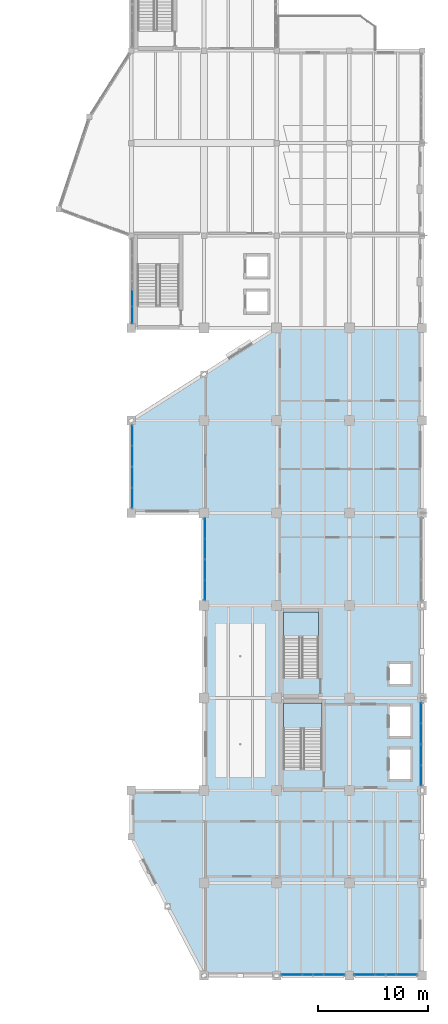
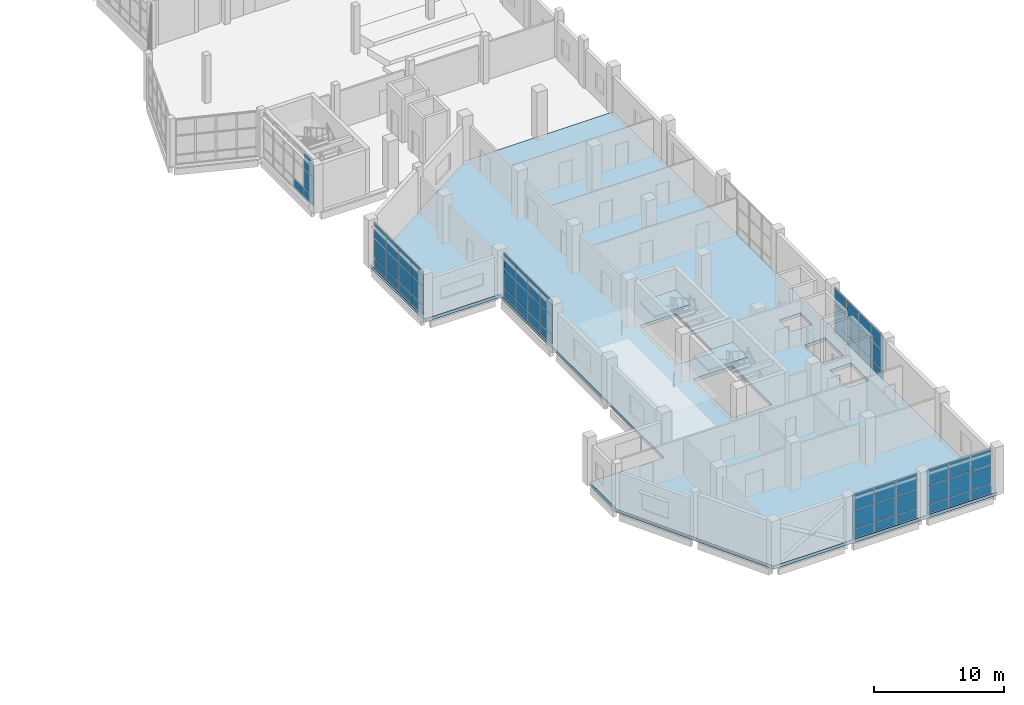
# One storey, part 38 of 76: 58 plates, 3 slabs, 8 elements without a shape of their own.
"""IFC4 building model written with IfcOpenShell, lengths in metres."""

import ifcopenshell
import ifcopenshell.guid

model = None  # the IFC model being written
_history = None  # IfcOwnerHistory: only IFC2X3 demands one
_inside = {}  # id of a spatial element -> (the spatial element, [elements in it])
_under = {}  # id of a project, library or spatial element -> (it, [spatial elements below it])
_declared = {}  # id of a project -> (the project, [libraries it declares])
_typed = {}  # id of a type object -> (the type object, [elements of that type])
_made_of = {}  # id of a material, layer set ... -> (it, [elements and type objects made of it])


def new_model(schema):
    """Start an empty IFC model of exactly this schema.

    Asked for "IFC4X3", IfcOpenShell would pick the latest addendum, in which some entities
    have other attributes; the version numbers below select the first issue.
    IFC2X3 requires an IfcOwnerHistory on every rooted entity: one is made here for all.
    """
    global model, _history
    if schema == "IFC4X3":
        model = ifcopenshell.file(schema_version=(4, 3, 0, 0))
    else:
        model = ifcopenshell.file(schema=schema)
    _inside.clear()
    _under.clear()
    _declared.clear()
    _typed.clear()
    _made_of.clear()
    _history = None
    if model.schema == "IFC2X3":
        org = make("IfcOrganization", Name="unknown")
        user = make(
            "IfcPersonAndOrganization",
            ThePerson=make("IfcPerson", FamilyName="unknown"),
            TheOrganization=org,
        )
        app = make(
            "IfcApplication",
            ApplicationDeveloper=org,
            Version="unknown",
            ApplicationFullName="unknown",
            ApplicationIdentifier="unknown",
        )
        _history = make(
            "IfcOwnerHistory",
            OwningUser=user,
            OwningApplication=app,
            ChangeAction="ADDED",
            CreationDate=0,
        )
    return model


def make(cls, **values):
    """One entity of the class cls with the attributes given. An attribute that is None is left unset."""
    return model.create_entity(
        cls, **{name: value for name, value in values.items() if value is not None}
    )


def rooted(cls, **values):
    """An entity with a GlobalId (a new one), such as an element, a storey or a relation."""
    return make(cls, GlobalId=ifcopenshell.guid.new(), OwnerHistory=_history, **values)


def si_unit(unit_type, name, prefix=None):
    """IfcSIUnit, for example si_unit("LENGTHUNIT", "METRE", prefix="MILLI")."""
    return make("IfcSIUnit", UnitType=unit_type, Prefix=prefix, Name=name)


def assignment(units):
    """IfcUnitAssignment: the units of a project."""
    return None if units is None else make("IfcUnitAssignment", Units=units)


def point(xyz):
    """IfcCartesianPoint."""
    return None if xyz is None else make("IfcCartesianPoint", Coordinates=xyz)


def direction(xyz):
    """IfcDirection."""
    return None if xyz is None else make("IfcDirection", DirectionRatios=xyz)


def frame(location, z_axis=None, x_axis=None):
    """IfcAxis2Placement3D, a coordinate frame: its origin and axes. An axis left out is left unset."""
    return make(
        "IfcAxis2Placement3D",
        Location=point(location),
        Axis=direction(z_axis),
        RefDirection=direction(x_axis),
    )


def frame_2d(location, x_axis=None):
    """IfcAxis2Placement2D, a coordinate frame in the plane: its origin and x axis."""
    return make(
        "IfcAxis2Placement2D", Location=point(location), RefDirection=direction(x_axis)
    )


def origin():
    """The frame at (0, 0, 0) with its axes left unset."""
    return frame((0.0, 0.0, 0.0))


def origin_2d():
    """The frame at (0, 0) in the plane with its x axis left unset."""
    return frame_2d((0.0, 0.0))


def place(relative_to, where):
    """IfcLocalPlacement: puts the frame where relative to a parent placement (None: the world)."""
    return make(
        "IfcLocalPlacement", PlacementRelTo=relative_to, RelativePlacement=where
    )


def context(
    kind, dimensions, precision=None, world=None, true_north=None, identifier=None
):
    """IfcGeometricRepresentationContext, for example the 3D "Model" context."""
    return make(
        "IfcGeometricRepresentationContext",
        ContextIdentifier=identifier,
        ContextType=kind,
        CoordinateSpaceDimension=dimensions,
        Precision=precision,
        WorldCoordinateSystem=world,
        TrueNorth=true_north,
    )


def subcontext(parent, identifier, kind, view, scale=None):
    """IfcGeometricRepresentationSubContext, for example "Body" below "Model"."""
    return make(
        "IfcGeometricRepresentationSubContext",
        ContextIdentifier=identifier,
        ContextType=kind,
        ParentContext=parent,
        TargetScale=scale,
        TargetView=view,
    )


def project(units=None, contexts=None):
    """IfcProject with its units and contexts."""
    return rooted(
        "IfcProject",
        Name="project",
        RepresentationContexts=contexts,
        UnitsInContext=assignment(units),
    )


def spatial(cls, under=None, at=None, **own):
    """A site, building, storey or space (cls), placed at a placement, below another one or the project."""
    s = rooted(cls, ObjectPlacement=at, **own)
    if under is not None:
        _under.setdefault(under.id(), (under, []))[1].append(s)
    return s


def polyline(points):
    """IfcPolyline through the points."""
    return make("IfcPolyline", Points=[point(p) for p in points])


def profile(cls, at=None, kind="AREA", **sizes):
    """A parametric profile (cls). Its sizes go by their IFC names, for example OverallWidth=200.0."""
    return make(cls, ProfileType=kind, Position=at, **sizes)


def rectangle(**sizes):
    """IfcRectangleProfileDef."""
    return profile("IfcRectangleProfileDef", **sizes)


def outline(outer, holes=None, kind="AREA"):
    """IfcArbitraryClosedProfileDef: a profile drawn as a closed curve; with holes, ...WithVoids."""
    if holes is None:
        return make("IfcArbitraryClosedProfileDef", ProfileType=kind, OuterCurve=outer)
    return make(
        "IfcArbitraryProfileDefWithVoids",
        ProfileType=kind,
        OuterCurve=outer,
        InnerCurves=holes,
    )


def extrude(swept, where, along, depth):
    """IfcExtrudedAreaSolid: the profile swept, set in the frame where, extruded along a direction by depth."""
    return make(
        "IfcExtrudedAreaSolid",
        SweptArea=swept,
        Position=where,
        ExtrudedDirection=direction(along),
        Depth=depth,
    )


def shape(context_of_items, identifier, shape_type, items):
    """IfcShapeRepresentation: the items that make up one representation, for example the "Body"."""
    return make(
        "IfcShapeRepresentation",
        ContextOfItems=context_of_items,
        RepresentationIdentifier=identifier,
        RepresentationType=shape_type,
        Items=items,
    )


def material(Name=None, Category=None):
    """IfcMaterial."""
    return make("IfcMaterial", Name=Name, Category=Category)


def layer(
    of_material, thickness, ventilated=None, Name=None, Category=None, Priority=None
):
    """IfcMaterialLayer: one layer of a wall or slab, of a material (None: an air gap)."""
    return make(
        "IfcMaterialLayer",
        Material=of_material,
        LayerThickness=thickness,
        IsVentilated=ventilated,
        Name=Name,
        Category=Category,
        Priority=Priority,
    )


def layer_set(layers, Name=None):
    """IfcMaterialLayerSet."""
    return make("IfcMaterialLayerSet", MaterialLayers=layers, LayerSetName=Name)


def made_of(thing, what):
    """Note that an element or type object is made of a material, layer set ...; save() writes the relation."""
    if what is not None:
        _made_of.setdefault(what.id(), (what, []))[1].append(thing)
    return thing


def type_object(cls, material=None, **own):
    """A type object (cls), such as IfcWallType, which elements share."""
    return made_of(rooted(cls, **own), material)


def element(
    cls,
    number,
    at=None,
    inside=None,
    cuts=None,
    type_object=None,
    material=None,
    context=None,
    identifier="Body",
    shape_type=None,
    held_by="IfcProductDefinitionShape",
    body=None,
    shapes=None,
    **own,
):
    """One element of the class cls, such as IfcWall. Its Tag is "e" and its number.

    at: its placement. inside: the storey or other place that contains it. cuts: it is an
    opening in that element (IfcRelVoidsElement). A single representation is given by context,
    identifier, shape_type and body (its items); several are given by shapes. held_by: the class
    of the entity that holds the representations. save() writes the other relations.
    """
    e = rooted(cls, Tag="e%d" % number, ObjectPlacement=at, **own)
    if body is not None:
        shapes = [shape(context, identifier, shape_type, body)]
    if shapes is not None:
        e.Representation = make(held_by, Representations=shapes)
    if inside is not None:
        _inside.setdefault(inside.id(), (inside, []))[1].append(e)
    if cuts is not None:
        rooted(
            "IfcRelVoidsElement", RelatingBuildingElement=cuts, RelatedOpeningElement=e
        )
    if type_object is not None:
        _typed.setdefault(type_object.id(), (type_object, []))[1].append(e)
    return made_of(e, material)


def aggregate(whole, parts):
    """IfcRelAggregates: a whole, such as a stair, and the parts it consists of."""
    return rooted("IfcRelAggregates", RelatingObject=whole, RelatedObjects=parts)


def save(model, path):
    """Write the relations noted so far, then the file.

    IfcRelAggregates (storeys below a building ...), IfcRelContainedInSpatialStructure (elements
    in a storey), IfcRelDefinesByType, IfcRelAssociatesMaterial and IfcRelDeclares: one each for
    every whole, place, type object, material and project.
    """
    for whole, parts in _under.values():
        aggregate(whole, parts)
    for where, things in _inside.values():
        rooted(
            "IfcRelContainedInSpatialStructure",
            RelatedElements=things,
            RelatingStructure=where,
        )
    for kind, things in _typed.values():
        rooted("IfcRelDefinesByType", RelatedObjects=things, RelatingType=kind)
    for what, things in _made_of.values():
        rooted("IfcRelAssociatesMaterial", RelatedObjects=things, RelatingMaterial=what)
    for by, libraries in _declared.values():
        rooted("IfcRelDeclares", RelatingContext=by, RelatedDefinitions=libraries)
    model.write(path)


model = new_model("IFC4")

# Units and contexts
model_context = context("Model", 3, precision=1e-05, world=origin(), true_north=direction((0.0, 1.0)))
body_context = subcontext(model_context, "Body", "Model", "MODEL_VIEW")
ifc_project = project(units=[si_unit("LENGTHUNIT", "METRE"), si_unit("AREAUNIT", "SQUARE_METRE"), si_unit("VOLUMEUNIT", "CUBIC_METRE"), si_unit("PLANEANGLEUNIT", "RADIAN"), si_unit("MASSUNIT", "GRAM", prefix="KILO")], contexts=[model_context])

# Site, building, storey
site_placement = place(None, origin())
site = spatial("IfcSite", under=ifc_project, at=site_placement, CompositionType="ELEMENT")
building_placement = place(site_placement, origin())
building = spatial("IfcBuilding", under=site, at=building_placement, Name="Qaldarim Faculty of Natural and Applied Sciences", CompositionType="ELEMENT")
storey_placement = place(building_placement, frame((0.0, 0.0, 9.89990234375)))
storey = spatial("IfcBuildingStorey", under=building, at=storey_placement, Name="L02", CompositionType="ELEMENT", Elevation=9.89990234375)

# Slab
ifc_material_1 = material(Name="Concrete C40/50", Category="concrete")
ifc_layer_1 = layer(ifc_material_1, 0.300048828125)
ifc_layer_set_1 = layer_set([ifc_layer_1], Name="Concrete C40/50")
slab_type_1 = type_object("IfcSlabType", Name="PodiumFloorSlab-300", PredefinedType="FLOOR", material=ifc_layer_set_1)
slab_1_placement = place(storey_placement, frame((0.0, 0.0, -0.2998046875)))
element("IfcSlab", 1, at=slab_1_placement, inside=storey, type_object=slab_type_1, Name="Floor slab L02 V5", PredefinedType="FLOOR", context=body_context, shape_type="SweptSolid", body=[
    extrude(outline(polyline([(158.39990234375, 0.0), (178.199951171875, 0.0), (178.199951171875, 58.800048828125), (165.0, 58.800048828125), (151.800048828125, 50.39990234375), (151.800048828125, 42.0), (158.39990234375, 42.0), (158.39990234375, 16.800048828125), (151.800048828125, 16.800048828125), (151.800048828125, 12.60009765625), (158.39990234375, 0.0)]), holes=[polyline([(169.10009765625, 18.764892578125), (169.10009765625, 24.77490234375), (165.60009765625, 24.77490234375), (165.60009765625, 18.764892578125), (169.10009765625, 18.764892578125)]), polyline([(168.800048828125, 27.06494140625), (168.800048828125, 33.02490234375), (165.60009765625, 33.02490234375), (165.60009765625, 27.06494140625), (168.800048828125, 27.06494140625)]), polyline([(175.25, 17.85009765625), (177.14990234375, 17.85009765625), (177.14990234375, 20.550048828125), (175.25, 20.550048828125), (175.25, 17.85009765625)]), polyline([(175.25, 21.75), (177.14990234375, 21.75), (177.14990234375, 24.449951171875), (175.25, 24.449951171875), (175.25, 21.75)]), polyline([(175.25, 26.5), (177.14990234375, 26.5), (177.14990234375, 28.300048828125), (175.25, 28.300048828125), (175.25, 26.5)])]), origin(), (0.0, 0.0, 1.0), 0.2998046875),
])

# Curtain wall, plates
ifc_material_2 = material(Name="Anodised aluminium AW-6063", Category="aluminium")
curtain_wall_type_1 = type_object("IfcCurtainWallType", Name="CurtainWallSystem-M1700", PredefinedType="USERDEFINED", material=ifc_material_2)
curtain_wall_1_placement = place(storey_placement, origin())
curtain_wall_1 = element("IfcCurtainWall", 2, at=curtain_wall_1_placement, inside=storey, type_object=curtain_wall_type_1, Name="Curtain wall CW-L02-W-X24Y06", ObjectType="UNITISED FACADE", PredefinedType="USERDEFINED")
ifc_material_3 = material(Name="Insulated low-e double glazing", Category="glass")
ifc_layer_2 = layer(ifc_material_3, 0.031982421875)
ifc_layer_set_2 = layer_set([ifc_layer_2], Name="Insulated low-e double glazing")
plate_type_1 = type_object("IfcPlateType", Name="SolarControlGlazingPanel-32", PredefinedType="CURTAIN_PANEL", material=ifc_layer_set_2)
plate_1_placement = place(storey_placement, frame((151.8798828125, 49.036376953125, 0.070068359375), z_axis=(0.0, 0.0, 1.0), x_axis=(0.0, -1.0, 0.0)))
plate_1 = element("IfcPlate", 3, at=plate_1_placement, type_object=plate_type_1, Name="Glazed panel 1-1 of CW-L02-W-X24Y06", PredefinedType="CURTAIN_PANEL", context=body_context, shape_type="SweptSolid", body=[
    extrude(rectangle(XDim=1.797607421875, YDim=0.031982421875, at=origin_2d()), origin(), (0.0, 0.0, 1.0), 0.794921875),
])
plate_2_placement = place(storey_placement, frame((151.8798828125, 49.036376953125, 0.93505859375), z_axis=(0.0, 0.0, 1.0), x_axis=(0.0, -1.0, 0.0)))
plate_2 = element("IfcPlate", 4, at=plate_2_placement, type_object=plate_type_1, Name="Glazed panel 1-2 of CW-L02-W-X24Y06", PredefinedType="CURTAIN_PANEL", context=body_context, shape_type="SweptSolid", body=[
    extrude(rectangle(XDim=1.797607421875, YDim=0.031982421875, at=origin_2d()), origin(), (0.0, 0.0, 1.0), 1.72998046875),
])
plate_3_placement = place(storey_placement, frame((151.8798828125, 49.036376953125, 2.735107421875), z_axis=(0.0, 0.0, 1.0), x_axis=(0.0, -1.0, 0.0)))
plate_3 = element("IfcPlate", 5, at=plate_3_placement, type_object=plate_type_1, Name="Glazed panel 1-3 of CW-L02-W-X24Y06", PredefinedType="CURTAIN_PANEL", context=body_context, shape_type="SweptSolid", body=[
    extrude(rectangle(XDim=1.797607421875, YDim=0.031982421875, at=origin_2d()), origin(), (0.0, 0.0, 1.0), 1.43505859375),
])
plate_4_placement = place(storey_placement, frame((151.8798828125, 47.1513671875, 0.070068359375), z_axis=(0.0, 0.0, 1.0), x_axis=(0.0, -1.0, 0.0)))
plate_4 = element("IfcPlate", 6, at=plate_4_placement, type_object=plate_type_1, Name="Glazed panel 2-1 of CW-L02-W-X24Y06", PredefinedType="CURTAIN_PANEL", context=body_context, shape_type="SweptSolid", body=[
    extrude(rectangle(XDim=1.83251953125, YDim=0.031982421875, at=origin_2d()), origin(), (0.0, 0.0, 1.0), 0.794921875),
])
plate_5_placement = place(storey_placement, frame((151.8798828125, 47.1513671875, 0.93505859375), z_axis=(0.0, 0.0, 1.0), x_axis=(0.0, -1.0, 0.0)))
plate_5 = element("IfcPlate", 7, at=plate_5_placement, type_object=plate_type_1, Name="Glazed panel 2-2 of CW-L02-W-X24Y06", PredefinedType="CURTAIN_PANEL", context=body_context, shape_type="SweptSolid", body=[
    extrude(rectangle(XDim=1.83251953125, YDim=0.031982421875, at=origin_2d()), origin(), (0.0, 0.0, 1.0), 1.72998046875),
])
plate_6_placement = place(storey_placement, frame((151.8798828125, 47.1513671875, 2.735107421875), z_axis=(0.0, 0.0, 1.0), x_axis=(0.0, -1.0, 0.0)))
plate_6 = element("IfcPlate", 8, at=plate_6_placement, type_object=plate_type_1, Name="Glazed panel 2-3 of CW-L02-W-X24Y06", PredefinedType="CURTAIN_PANEL", context=body_context, shape_type="SweptSolid", body=[
    extrude(rectangle(XDim=1.83251953125, YDim=0.031982421875, at=origin_2d()), origin(), (0.0, 0.0, 1.0), 1.43505859375),
])
plate_7_placement = place(storey_placement, frame((151.8798828125, 45.248779296875, 0.070068359375), z_axis=(0.0, 0.0, 1.0), x_axis=(0.0, -1.0, 0.0)))
plate_7 = element("IfcPlate", 9, at=plate_7_placement, type_object=plate_type_1, Name="Glazed panel 3-1 of CW-L02-W-X24Y06", PredefinedType="CURTAIN_PANEL", context=body_context, shape_type="SweptSolid", body=[
    extrude(rectangle(XDim=1.83251953125, YDim=0.031982421875, at=origin_2d()), origin(), (0.0, 0.0, 1.0), 0.794921875),
])
plate_8_placement = place(storey_placement, frame((151.8798828125, 45.248779296875, 0.93505859375), z_axis=(0.0, 0.0, 1.0), x_axis=(0.0, -1.0, 0.0)))
plate_8 = element("IfcPlate", 10, at=plate_8_placement, type_object=plate_type_1, Name="Glazed panel 3-2 of CW-L02-W-X24Y06", PredefinedType="CURTAIN_PANEL", context=body_context, shape_type="SweptSolid", body=[
    extrude(rectangle(XDim=1.83251953125, YDim=0.031982421875, at=origin_2d()), origin(), (0.0, 0.0, 1.0), 1.72998046875),
])
plate_9_placement = place(storey_placement, frame((151.8798828125, 45.248779296875, 2.735107421875), z_axis=(0.0, 0.0, 1.0), x_axis=(0.0, -1.0, 0.0)))
plate_9 = element("IfcPlate", 11, at=plate_9_placement, type_object=plate_type_1, Name="Glazed panel 3-3 of CW-L02-W-X24Y06", PredefinedType="CURTAIN_PANEL", context=body_context, shape_type="SweptSolid", body=[
    extrude(rectangle(XDim=1.83251953125, YDim=0.031982421875, at=origin_2d()), origin(), (0.0, 0.0, 1.0), 1.43505859375),
])
plate_10_placement = place(storey_placement, frame((151.8798828125, 43.36376953125, 0.070068359375), z_axis=(0.0, 0.0, 1.0), x_axis=(0.0, -1.0, 0.0)))
plate_10 = element("IfcPlate", 12, at=plate_10_placement, type_object=plate_type_1, Name="Glazed panel 4-1 of CW-L02-W-X24Y06", PredefinedType="CURTAIN_PANEL", context=body_context, shape_type="SweptSolid", body=[
    extrude(rectangle(XDim=1.797607421875, YDim=0.031982421875, at=origin_2d()), origin(), (0.0, 0.0, 1.0), 0.794921875),
])
plate_11_placement = place(storey_placement, frame((151.8798828125, 43.36376953125, 0.93505859375), z_axis=(0.0, 0.0, 1.0), x_axis=(0.0, -1.0, 0.0)))
plate_11 = element("IfcPlate", 13, at=plate_11_placement, type_object=plate_type_1, Name="Glazed panel 4-2 of CW-L02-W-X24Y06", PredefinedType="CURTAIN_PANEL", context=body_context, shape_type="SweptSolid", body=[
    extrude(rectangle(XDim=1.797607421875, YDim=0.031982421875, at=origin_2d()), origin(), (0.0, 0.0, 1.0), 1.72998046875),
])
plate_12_placement = place(storey_placement, frame((151.8798828125, 43.36376953125, 2.735107421875), z_axis=(0.0, 0.0, 1.0), x_axis=(0.0, -1.0, 0.0)))
plate_12 = element("IfcPlate", 14, at=plate_12_placement, type_object=plate_type_1, Name="Glazed panel 4-3 of CW-L02-W-X24Y06", PredefinedType="CURTAIN_PANEL", context=body_context, shape_type="SweptSolid", body=[
    extrude(rectangle(XDim=1.797607421875, YDim=0.031982421875, at=origin_2d()), origin(), (0.0, 0.0, 1.0), 1.43505859375),
])
aggregate(curtain_wall_1, [plate_1, plate_2, plate_3, plate_4, plate_5, plate_6, plate_7, plate_8, plate_9, plate_10, plate_11, plate_12])

curtain_wall_2_placement = place(storey_placement, origin())
curtain_wall_2 = element("IfcCurtainWall", 15, at=curtain_wall_2_placement, inside=storey, type_object=curtain_wall_type_1, Name="Curtain wall CW-L02-W-X25Y05", ObjectType="UNITISED FACADE", PredefinedType="USERDEFINED")
plate_13_placement = place(storey_placement, frame((158.47998046875, 40.598876953125, 0.070068359375), z_axis=(0.0, 0.0, 1.0), x_axis=(0.0, -1.0, 0.0)))
plate_13 = element("IfcPlate", 16, at=plate_13_placement, type_object=plate_type_1, Name="Glazed panel 1-1 of CW-L02-W-X25Y05", PredefinedType="CURTAIN_PANEL", context=body_context, shape_type="SweptSolid", body=[
    extrude(rectangle(XDim=1.7724609375, YDim=0.031982421875, at=origin_2d()), origin(), (0.0, 0.0, 1.0), 0.794921875),
])
plate_14_placement = place(storey_placement, frame((158.47998046875, 40.598876953125, 0.93505859375), z_axis=(0.0, 0.0, 1.0), x_axis=(0.0, -1.0, 0.0)))
plate_14 = element("IfcPlate", 17, at=plate_14_placement, type_object=plate_type_1, Name="Glazed panel 1-2 of CW-L02-W-X25Y05", PredefinedType="CURTAIN_PANEL", context=body_context, shape_type="SweptSolid", body=[
    extrude(rectangle(XDim=1.7724609375, YDim=0.031982421875, at=origin_2d()), origin(), (0.0, 0.0, 1.0), 1.72998046875),
])
plate_15_placement = place(storey_placement, frame((158.47998046875, 40.598876953125, 2.735107421875), z_axis=(0.0, 0.0, 1.0), x_axis=(0.0, -1.0, 0.0)))
plate_15 = element("IfcPlate", 18, at=plate_15_placement, type_object=plate_type_1, Name="Glazed panel 1-3 of CW-L02-W-X25Y05", PredefinedType="CURTAIN_PANEL", context=body_context, shape_type="SweptSolid", body=[
    extrude(rectangle(XDim=1.7724609375, YDim=0.031982421875, at=origin_2d()), origin(), (0.0, 0.0, 1.0), 1.43505859375),
])
plate_16_placement = place(storey_placement, frame((158.47998046875, 38.73876953125, 0.070068359375), z_axis=(0.0, 0.0, 1.0), x_axis=(0.0, -1.0, 0.0)))
plate_16 = element("IfcPlate", 19, at=plate_16_placement, type_object=plate_type_1, Name="Glazed panel 2-1 of CW-L02-W-X25Y05", PredefinedType="CURTAIN_PANEL", context=body_context, shape_type="SweptSolid", body=[
    extrude(rectangle(XDim=1.8076171875, YDim=0.031982421875, at=origin_2d()), origin(), (0.0, 0.0, 1.0), 0.794921875),
])
plate_17_placement = place(storey_placement, frame((158.47998046875, 38.73876953125, 0.93505859375), z_axis=(0.0, 0.0, 1.0), x_axis=(0.0, -1.0, 0.0)))
plate_17 = element("IfcPlate", 20, at=plate_17_placement, type_object=plate_type_1, Name="Glazed panel 2-2 of CW-L02-W-X25Y05", PredefinedType="CURTAIN_PANEL", context=body_context, shape_type="SweptSolid", body=[
    extrude(rectangle(XDim=1.8076171875, YDim=0.031982421875, at=origin_2d()), origin(), (0.0, 0.0, 1.0), 1.72998046875),
])
plate_18_placement = place(storey_placement, frame((158.47998046875, 38.73876953125, 2.735107421875), z_axis=(0.0, 0.0, 1.0), x_axis=(0.0, -1.0, 0.0)))
plate_18 = element("IfcPlate", 21, at=plate_18_placement, type_object=plate_type_1, Name="Glazed panel 2-3 of CW-L02-W-X25Y05", PredefinedType="CURTAIN_PANEL", context=body_context, shape_type="SweptSolid", body=[
    extrude(rectangle(XDim=1.8076171875, YDim=0.031982421875, at=origin_2d()), origin(), (0.0, 0.0, 1.0), 1.43505859375),
])
plate_19_placement = place(storey_placement, frame((158.47998046875, 36.861083984375, 0.070068359375), z_axis=(0.0, 0.0, 1.0), x_axis=(0.0, -1.0, 0.0)))
plate_19 = element("IfcPlate", 22, at=plate_19_placement, type_object=plate_type_1, Name="Glazed panel 3-1 of CW-L02-W-X25Y05", PredefinedType="CURTAIN_PANEL", context=body_context, shape_type="SweptSolid", body=[
    extrude(rectangle(XDim=1.8076171875, YDim=0.031982421875, at=origin_2d()), origin(), (0.0, 0.0, 1.0), 0.794921875),
])
plate_20_placement = place(storey_placement, frame((158.47998046875, 36.861083984375, 0.93505859375), z_axis=(0.0, 0.0, 1.0), x_axis=(0.0, -1.0, 0.0)))
plate_20 = element("IfcPlate", 23, at=plate_20_placement, type_object=plate_type_1, Name="Glazed panel 3-2 of CW-L02-W-X25Y05", PredefinedType="CURTAIN_PANEL", context=body_context, shape_type="SweptSolid", body=[
    extrude(rectangle(XDim=1.8076171875, YDim=0.031982421875, at=origin_2d()), origin(), (0.0, 0.0, 1.0), 1.72998046875),
])
plate_21_placement = place(storey_placement, frame((158.47998046875, 36.861083984375, 2.735107421875), z_axis=(0.0, 0.0, 1.0), x_axis=(0.0, -1.0, 0.0)))
plate_21 = element("IfcPlate", 24, at=plate_21_placement, type_object=plate_type_1, Name="Glazed panel 3-3 of CW-L02-W-X25Y05", PredefinedType="CURTAIN_PANEL", context=body_context, shape_type="SweptSolid", body=[
    extrude(rectangle(XDim=1.8076171875, YDim=0.031982421875, at=origin_2d()), origin(), (0.0, 0.0, 1.0), 1.43505859375),
])
plate_22_placement = place(storey_placement, frame((158.47998046875, 35.001220703125, 0.070068359375), z_axis=(0.0, 0.0, 1.0), x_axis=(0.0, -1.0, 0.0)))
plate_22 = element("IfcPlate", 25, at=plate_22_placement, type_object=plate_type_1, Name="Glazed panel 4-1 of CW-L02-W-X25Y05", PredefinedType="CURTAIN_PANEL", context=body_context, shape_type="SweptSolid", body=[
    extrude(rectangle(XDim=1.7724609375, YDim=0.031982421875, at=origin_2d()), origin(), (0.0, 0.0, 1.0), 0.794921875),
])
plate_23_placement = place(storey_placement, frame((158.47998046875, 35.001220703125, 0.93505859375), z_axis=(0.0, 0.0, 1.0), x_axis=(0.0, -1.0, 0.0)))
plate_23 = element("IfcPlate", 26, at=plate_23_placement, type_object=plate_type_1, Name="Glazed panel 4-2 of CW-L02-W-X25Y05", PredefinedType="CURTAIN_PANEL", context=body_context, shape_type="SweptSolid", body=[
    extrude(rectangle(XDim=1.7724609375, YDim=0.031982421875, at=origin_2d()), origin(), (0.0, 0.0, 1.0), 1.72998046875),
])
plate_24_placement = place(storey_placement, frame((158.47998046875, 35.001220703125, 2.735107421875), z_axis=(0.0, 0.0, 1.0), x_axis=(0.0, -1.0, 0.0)))
plate_24 = element("IfcPlate", 27, at=plate_24_placement, type_object=plate_type_1, Name="Glazed panel 4-3 of CW-L02-W-X25Y05", PredefinedType="CURTAIN_PANEL", context=body_context, shape_type="SweptSolid", body=[
    extrude(rectangle(XDim=1.7724609375, YDim=0.031982421875, at=origin_2d()), origin(), (0.0, 0.0, 1.0), 1.43505859375),
])
aggregate(curtain_wall_2, [plate_13, plate_14, plate_15, plate_16, plate_17, plate_18, plate_19, plate_20, plate_21, plate_22, plate_23, plate_24])

curtain_wall_3_placement = place(storey_placement, origin())
curtain_wall_3 = element("IfcCurtainWall", 28, at=curtain_wall_3_placement, inside=storey, type_object=curtain_wall_type_1, Name="Curtain wall CW-L02-S-X26Y01", ObjectType="UNITISED FACADE", PredefinedType="USERDEFINED")
plate_25_placement = place(storey_placement, frame((166.380859375, 0.080078125, 0.070068359375), z_axis=(0.0, 0.0, 1.0), x_axis=(1.0, 0.0, 0.0)))
plate_25 = element("IfcPlate", 29, at=plate_25_placement, type_object=plate_type_1, Name="Glazed panel 1-1 of CW-L02-S-X26Y01", PredefinedType="CURTAIN_PANEL", context=body_context, shape_type="SweptSolid", body=[
    extrude(rectangle(XDim=1.831787109375, YDim=0.031982421875, at=origin_2d()), origin(), (0.0, 0.0, 1.0), 0.794921875),
])
plate_26_placement = place(storey_placement, frame((166.380859375, 0.080078125, 0.93505859375), z_axis=(0.0, 0.0, 1.0), x_axis=(1.0, 0.0, 0.0)))
plate_26 = element("IfcPlate", 30, at=plate_26_placement, type_object=plate_type_1, Name="Glazed panel 1-2 of CW-L02-S-X26Y01", PredefinedType="CURTAIN_PANEL", context=body_context, shape_type="SweptSolid", body=[
    extrude(rectangle(XDim=1.831787109375, YDim=0.031982421875, at=origin_2d()), origin(), (0.0, 0.0, 1.0), 1.72998046875),
])
plate_27_placement = place(storey_placement, frame((166.380859375, 0.080078125, 2.735107421875), z_axis=(0.0, 0.0, 1.0), x_axis=(1.0, 0.0, 0.0)))
plate_27 = element("IfcPlate", 31, at=plate_27_placement, type_object=plate_type_1, Name="Glazed panel 1-3 of CW-L02-S-X26Y01", PredefinedType="CURTAIN_PANEL", context=body_context, shape_type="SweptSolid", body=[
    extrude(rectangle(XDim=1.831787109375, YDim=0.031982421875, at=origin_2d()), origin(), (0.0, 0.0, 1.0), 1.43505859375),
])
plate_28_placement = place(storey_placement, frame((168.300048828125, 0.080078125, 0.070068359375), z_axis=(0.0, 0.0, 1.0), x_axis=(1.0, 0.0, 0.0)))
plate_28 = element("IfcPlate", 32, at=plate_28_placement, type_object=plate_type_1, Name="Glazed panel 2-1 of CW-L02-S-X26Y01", PredefinedType="CURTAIN_PANEL", context=body_context, shape_type="SweptSolid", body=[
    extrude(rectangle(XDim=1.86669921875, YDim=0.031982421875, at=origin_2d()), origin(), (0.0, 0.0, 1.0), 0.794921875),
])
plate_29_placement = place(storey_placement, frame((168.300048828125, 0.080078125, 0.93505859375), z_axis=(0.0, 0.0, 1.0), x_axis=(1.0, 0.0, 0.0)))
plate_29 = element("IfcPlate", 33, at=plate_29_placement, type_object=plate_type_1, Name="Glazed panel 2-2 of CW-L02-S-X26Y01", PredefinedType="CURTAIN_PANEL", context=body_context, shape_type="SweptSolid", body=[
    extrude(rectangle(XDim=1.86669921875, YDim=0.031982421875, at=origin_2d()), origin(), (0.0, 0.0, 1.0), 1.72998046875),
])
plate_30_placement = place(storey_placement, frame((168.300048828125, 0.080078125, 2.735107421875), z_axis=(0.0, 0.0, 1.0), x_axis=(1.0, 0.0, 0.0)))
plate_30 = element("IfcPlate", 34, at=plate_30_placement, type_object=plate_type_1, Name="Glazed panel 2-3 of CW-L02-S-X26Y01", PredefinedType="CURTAIN_PANEL", context=body_context, shape_type="SweptSolid", body=[
    extrude(rectangle(XDim=1.86669921875, YDim=0.031982421875, at=origin_2d()), origin(), (0.0, 0.0, 1.0), 1.43505859375),
])
plate_31_placement = place(storey_placement, frame((170.21923828125, 0.080078125, 0.070068359375), z_axis=(0.0, 0.0, 1.0), x_axis=(1.0, 0.0, 0.0)))
plate_31 = element("IfcPlate", 35, at=plate_31_placement, type_object=plate_type_1, Name="Glazed panel 3-1 of CW-L02-S-X26Y01", PredefinedType="CURTAIN_PANEL", context=body_context, shape_type="SweptSolid", body=[
    extrude(rectangle(XDim=1.831787109375, YDim=0.031982421875, at=origin_2d()), origin(), (0.0, 0.0, 1.0), 0.794921875),
])
plate_32_placement = place(storey_placement, frame((170.21923828125, 0.080078125, 0.93505859375), z_axis=(0.0, 0.0, 1.0), x_axis=(1.0, 0.0, 0.0)))
plate_32 = element("IfcPlate", 36, at=plate_32_placement, type_object=plate_type_1, Name="Glazed panel 3-2 of CW-L02-S-X26Y01", PredefinedType="CURTAIN_PANEL", context=body_context, shape_type="SweptSolid", body=[
    extrude(rectangle(XDim=1.831787109375, YDim=0.031982421875, at=origin_2d()), origin(), (0.0, 0.0, 1.0), 1.72998046875),
])
plate_33_placement = place(storey_placement, frame((170.21923828125, 0.080078125, 2.735107421875), z_axis=(0.0, 0.0, 1.0), x_axis=(1.0, 0.0, 0.0)))
plate_33 = element("IfcPlate", 37, at=plate_33_placement, type_object=plate_type_1, Name="Glazed panel 3-3 of CW-L02-S-X26Y01", PredefinedType="CURTAIN_PANEL", context=body_context, shape_type="SweptSolid", body=[
    extrude(rectangle(XDim=1.831787109375, YDim=0.031982421875, at=origin_2d()), origin(), (0.0, 0.0, 1.0), 1.43505859375),
])
aggregate(curtain_wall_3, [plate_25, plate_26, plate_27, plate_28, plate_29, plate_30, plate_31, plate_32, plate_33])

curtain_wall_4_placement = place(storey_placement, origin())
curtain_wall_4 = element("IfcCurtainWall", 38, at=curtain_wall_4_placement, inside=storey, type_object=curtain_wall_type_1, Name="Curtain wall CW-L02-S-X27Y01", ObjectType="UNITISED FACADE", PredefinedType="USERDEFINED")
plate_34_placement = place(storey_placement, frame((172.980712890625, 0.080078125, 0.070068359375), z_axis=(0.0, 0.0, 1.0), x_axis=(1.0, 0.0, 0.0)))
plate_34 = element("IfcPlate", 39, at=plate_34_placement, type_object=plate_type_1, Name="Glazed panel 1-1 of CW-L02-S-X27Y01", PredefinedType="CURTAIN_PANEL", context=body_context, shape_type="SweptSolid", body=[
    extrude(rectangle(XDim=1.831787109375, YDim=0.031982421875, at=origin_2d()), origin(), (0.0, 0.0, 1.0), 0.794921875),
])
plate_35_placement = place(storey_placement, frame((172.980712890625, 0.080078125, 0.93505859375), z_axis=(0.0, 0.0, 1.0), x_axis=(1.0, 0.0, 0.0)))
plate_35 = element("IfcPlate", 40, at=plate_35_placement, type_object=plate_type_1, Name="Glazed panel 1-2 of CW-L02-S-X27Y01", PredefinedType="CURTAIN_PANEL", context=body_context, shape_type="SweptSolid", body=[
    extrude(rectangle(XDim=1.831787109375, YDim=0.031982421875, at=origin_2d()), origin(), (0.0, 0.0, 1.0), 1.72998046875),
])
plate_36_placement = place(storey_placement, frame((172.980712890625, 0.080078125, 2.735107421875), z_axis=(0.0, 0.0, 1.0), x_axis=(1.0, 0.0, 0.0)))
plate_36 = element("IfcPlate", 41, at=plate_36_placement, type_object=plate_type_1, Name="Glazed panel 1-3 of CW-L02-S-X27Y01", PredefinedType="CURTAIN_PANEL", context=body_context, shape_type="SweptSolid", body=[
    extrude(rectangle(XDim=1.831787109375, YDim=0.031982421875, at=origin_2d()), origin(), (0.0, 0.0, 1.0), 1.43505859375),
])
plate_37_placement = place(storey_placement, frame((174.89990234375, 0.080078125, 0.070068359375), z_axis=(0.0, 0.0, 1.0), x_axis=(1.0, 0.0, 0.0)))
plate_37 = element("IfcPlate", 42, at=plate_37_placement, type_object=plate_type_1, Name="Glazed panel 2-1 of CW-L02-S-X27Y01", PredefinedType="CURTAIN_PANEL", context=body_context, shape_type="SweptSolid", body=[
    extrude(rectangle(XDim=1.86669921875, YDim=0.031982421875, at=origin_2d()), origin(), (0.0, 0.0, 1.0), 0.794921875),
])
plate_38_placement = place(storey_placement, frame((174.89990234375, 0.080078125, 0.93505859375), z_axis=(0.0, 0.0, 1.0), x_axis=(1.0, 0.0, 0.0)))
plate_38 = element("IfcPlate", 43, at=plate_38_placement, type_object=plate_type_1, Name="Glazed panel 2-2 of CW-L02-S-X27Y01", PredefinedType="CURTAIN_PANEL", context=body_context, shape_type="SweptSolid", body=[
    extrude(rectangle(XDim=1.86669921875, YDim=0.031982421875, at=origin_2d()), origin(), (0.0, 0.0, 1.0), 1.72998046875),
])
plate_39_placement = place(storey_placement, frame((174.89990234375, 0.080078125, 2.735107421875), z_axis=(0.0, 0.0, 1.0), x_axis=(1.0, 0.0, 0.0)))
plate_39 = element("IfcPlate", 44, at=plate_39_placement, type_object=plate_type_1, Name="Glazed panel 2-3 of CW-L02-S-X27Y01", PredefinedType="CURTAIN_PANEL", context=body_context, shape_type="SweptSolid", body=[
    extrude(rectangle(XDim=1.86669921875, YDim=0.031982421875, at=origin_2d()), origin(), (0.0, 0.0, 1.0), 1.43505859375),
])
plate_40_placement = place(storey_placement, frame((176.819091796875, 0.080078125, 0.070068359375), z_axis=(0.0, 0.0, 1.0), x_axis=(1.0, 0.0, 0.0)))
plate_40 = element("IfcPlate", 45, at=plate_40_placement, type_object=plate_type_1, Name="Glazed panel 3-1 of CW-L02-S-X27Y01", PredefinedType="CURTAIN_PANEL", context=body_context, shape_type="SweptSolid", body=[
    extrude(rectangle(XDim=1.831787109375, YDim=0.031982421875, at=origin_2d()), origin(), (0.0, 0.0, 1.0), 0.794921875),
])
plate_41_placement = place(storey_placement, frame((176.819091796875, 0.080078125, 0.93505859375), z_axis=(0.0, 0.0, 1.0), x_axis=(1.0, 0.0, 0.0)))
plate_41 = element("IfcPlate", 46, at=plate_41_placement, type_object=plate_type_1, Name="Glazed panel 3-2 of CW-L02-S-X27Y01", PredefinedType="CURTAIN_PANEL", context=body_context, shape_type="SweptSolid", body=[
    extrude(rectangle(XDim=1.831787109375, YDim=0.031982421875, at=origin_2d()), origin(), (0.0, 0.0, 1.0), 1.72998046875),
])
plate_42_placement = place(storey_placement, frame((176.819091796875, 0.080078125, 2.735107421875), z_axis=(0.0, 0.0, 1.0), x_axis=(1.0, 0.0, 0.0)))
plate_42 = element("IfcPlate", 47, at=plate_42_placement, type_object=plate_type_1, Name="Glazed panel 3-3 of CW-L02-S-X27Y01", PredefinedType="CURTAIN_PANEL", context=body_context, shape_type="SweptSolid", body=[
    extrude(rectangle(XDim=1.831787109375, YDim=0.031982421875, at=origin_2d()), origin(), (0.0, 0.0, 1.0), 1.43505859375),
])
aggregate(curtain_wall_4, [plate_34, plate_35, plate_36, plate_37, plate_38, plate_39, plate_40, plate_41, plate_42])

curtain_wall_5_placement = place(storey_placement, origin())
curtain_wall_5 = element("IfcCurtainWall", 48, at=curtain_wall_5_placement, inside=storey, type_object=curtain_wall_type_1, Name="Curtain wall CW-L02-E-X27Y03", ObjectType="UNITISED FACADE", PredefinedType="USERDEFINED")
plate_43_placement = place(storey_placement, frame((178.1201171875, 18.163818359375, 0.070068359375), z_axis=(0.0, 0.0, 1.0), x_axis=(0.0, 1.0, 0.0)))
plate_43 = element("IfcPlate", 49, at=plate_43_placement, type_object=plate_type_1, Name="Glazed panel 1-1 of CW-L02-E-X27Y03", PredefinedType="CURTAIN_PANEL", context=body_context, shape_type="SweptSolid", body=[
    extrude(rectangle(XDim=1.797607421875, YDim=0.031982421875, at=origin_2d()), origin(), (0.0, 0.0, 1.0), 0.794921875),
])
plate_44_placement = place(storey_placement, frame((178.1201171875, 18.163818359375, 0.93505859375), z_axis=(0.0, 0.0, 1.0), x_axis=(0.0, 1.0, 0.0)))
plate_44 = element("IfcPlate", 50, at=plate_44_placement, type_object=plate_type_1, Name="Glazed panel 1-2 of CW-L02-E-X27Y03", PredefinedType="CURTAIN_PANEL", context=body_context, shape_type="SweptSolid", body=[
    extrude(rectangle(XDim=1.797607421875, YDim=0.031982421875, at=origin_2d()), origin(), (0.0, 0.0, 1.0), 1.72998046875),
])
plate_45_placement = place(storey_placement, frame((178.1201171875, 18.163818359375, 2.735107421875), z_axis=(0.0, 0.0, 1.0), x_axis=(0.0, 1.0, 0.0)))
plate_45 = element("IfcPlate", 51, at=plate_45_placement, type_object=plate_type_1, Name="Glazed panel 1-3 of CW-L02-E-X27Y03", PredefinedType="CURTAIN_PANEL", context=body_context, shape_type="SweptSolid", body=[
    extrude(rectangle(XDim=1.797607421875, YDim=0.031982421875, at=origin_2d()), origin(), (0.0, 0.0, 1.0), 1.43505859375),
])
plate_46_placement = place(storey_placement, frame((178.1201171875, 20.048583984375, 0.070068359375), z_axis=(0.0, 0.0, 1.0), x_axis=(0.0, 1.0, 0.0)))
plate_46 = element("IfcPlate", 52, at=plate_46_placement, type_object=plate_type_1, Name="Glazed panel 2-1 of CW-L02-E-X27Y03", PredefinedType="CURTAIN_PANEL", context=body_context, shape_type="SweptSolid", body=[
    extrude(rectangle(XDim=1.83251953125, YDim=0.031982421875, at=origin_2d()), origin(), (0.0, 0.0, 1.0), 0.794921875),
])
plate_47_placement = place(storey_placement, frame((178.1201171875, 20.048583984375, 0.93505859375), z_axis=(0.0, 0.0, 1.0), x_axis=(0.0, 1.0, 0.0)))
plate_47 = element("IfcPlate", 53, at=plate_47_placement, type_object=plate_type_1, Name="Glazed panel 2-2 of CW-L02-E-X27Y03", PredefinedType="CURTAIN_PANEL", context=body_context, shape_type="SweptSolid", body=[
    extrude(rectangle(XDim=1.83251953125, YDim=0.031982421875, at=origin_2d()), origin(), (0.0, 0.0, 1.0), 1.72998046875),
])
plate_48_placement = place(storey_placement, frame((178.1201171875, 20.048583984375, 2.735107421875), z_axis=(0.0, 0.0, 1.0), x_axis=(0.0, 1.0, 0.0)))
plate_48 = element("IfcPlate", 54, at=plate_48_placement, type_object=plate_type_1, Name="Glazed panel 2-3 of CW-L02-E-X27Y03", PredefinedType="CURTAIN_PANEL", context=body_context, shape_type="SweptSolid", body=[
    extrude(rectangle(XDim=1.83251953125, YDim=0.031982421875, at=origin_2d()), origin(), (0.0, 0.0, 1.0), 1.43505859375),
])
plate_49_placement = place(storey_placement, frame((178.1201171875, 21.951416015625, 0.070068359375), z_axis=(0.0, 0.0, 1.0), x_axis=(0.0, 1.0, 0.0)))
plate_49 = element("IfcPlate", 55, at=plate_49_placement, type_object=plate_type_1, Name="Glazed panel 3-1 of CW-L02-E-X27Y03", PredefinedType="CURTAIN_PANEL", context=body_context, shape_type="SweptSolid", body=[
    extrude(rectangle(XDim=1.83251953125, YDim=0.031982421875, at=origin_2d()), origin(), (0.0, 0.0, 1.0), 0.794921875),
])
plate_50_placement = place(storey_placement, frame((178.1201171875, 21.951416015625, 0.93505859375), z_axis=(0.0, 0.0, 1.0), x_axis=(0.0, 1.0, 0.0)))
plate_50 = element("IfcPlate", 56, at=plate_50_placement, type_object=plate_type_1, Name="Glazed panel 3-2 of CW-L02-E-X27Y03", PredefinedType="CURTAIN_PANEL", context=body_context, shape_type="SweptSolid", body=[
    extrude(rectangle(XDim=1.83251953125, YDim=0.031982421875, at=origin_2d()), origin(), (0.0, 0.0, 1.0), 1.72998046875),
])
plate_51_placement = place(storey_placement, frame((178.1201171875, 21.951416015625, 2.735107421875), z_axis=(0.0, 0.0, 1.0), x_axis=(0.0, 1.0, 0.0)))
plate_51 = element("IfcPlate", 57, at=plate_51_placement, type_object=plate_type_1, Name="Glazed panel 3-3 of CW-L02-E-X27Y03", PredefinedType="CURTAIN_PANEL", context=body_context, shape_type="SweptSolid", body=[
    extrude(rectangle(XDim=1.83251953125, YDim=0.031982421875, at=origin_2d()), origin(), (0.0, 0.0, 1.0), 1.43505859375),
])
plate_52_placement = place(storey_placement, frame((178.1201171875, 23.836181640625, 0.070068359375), z_axis=(0.0, 0.0, 1.0), x_axis=(0.0, 1.0, 0.0)))
plate_52 = element("IfcPlate", 58, at=plate_52_placement, type_object=plate_type_1, Name="Glazed panel 4-1 of CW-L02-E-X27Y03", PredefinedType="CURTAIN_PANEL", context=body_context, shape_type="SweptSolid", body=[
    extrude(rectangle(XDim=1.797607421875, YDim=0.031982421875, at=origin_2d()), origin(), (0.0, 0.0, 1.0), 0.794921875),
])
plate_53_placement = place(storey_placement, frame((178.1201171875, 23.836181640625, 0.93505859375), z_axis=(0.0, 0.0, 1.0), x_axis=(0.0, 1.0, 0.0)))
plate_53 = element("IfcPlate", 59, at=plate_53_placement, type_object=plate_type_1, Name="Glazed panel 4-2 of CW-L02-E-X27Y03", PredefinedType="CURTAIN_PANEL", context=body_context, shape_type="SweptSolid", body=[
    extrude(rectangle(XDim=1.797607421875, YDim=0.031982421875, at=origin_2d()), origin(), (0.0, 0.0, 1.0), 1.72998046875),
])
plate_54_placement = place(storey_placement, frame((178.1201171875, 23.836181640625, 2.735107421875), z_axis=(0.0, 0.0, 1.0), x_axis=(0.0, 1.0, 0.0)))
plate_54 = element("IfcPlate", 60, at=plate_54_placement, type_object=plate_type_1, Name="Glazed panel 4-3 of CW-L02-E-X27Y03", PredefinedType="CURTAIN_PANEL", context=body_context, shape_type="SweptSolid", body=[
    extrude(rectangle(XDim=1.797607421875, YDim=0.031982421875, at=origin_2d()), origin(), (0.0, 0.0, 1.0), 1.43505859375),
])
aggregate(curtain_wall_5, [plate_43, plate_44, plate_45, plate_46, plate_47, plate_48, plate_49, plate_50, plate_51, plate_52, plate_53, plate_54])

# Stair, slab
stair_type_1 = type_object("IfcStairType", Name="DoglegStair-W1650-H4500-28R", PredefinedType="HALF_TURN_STAIR", material=ifc_material_1)
stair_1_placement = place(storey_placement, origin())
stair_1 = element("IfcStair", 61, at=stair_1_placement, inside=storey, type_object=stair_type_1, Name="Enclosed exit stair ST-A1 L02", PredefinedType="HALF_TURN_STAIR")
ifc_layer_3 = layer(ifc_material_1, 0.2099609375)
ifc_layer_set_3 = layer_set([ifc_layer_3], Name="Concrete C40/50")
slab_type_2 = type_object("IfcSlabType", Name="StairLandingSlab-210", PredefinedType="LANDING", material=ifc_layer_set_3)
slab_2_placement = place(storey_placement, frame((0.0, 0.0, 2.0400390625)))
slab_2 = element("IfcSlab", 62, at=slab_2_placement, type_object=slab_type_2, Name="ST-A1 L02 half-landing 1", PredefinedType="LANDING", context=body_context, shape_type="SweptSolid", body=[
    extrude(outline(polyline([(169.10009765625, 22.43994140625), (169.10009765625, 24.75), (165.60009765625, 24.75), (165.60009765625, 22.43994140625), (169.10009765625, 22.43994140625)])), origin(), (0.0, 0.0, 1.0), 0.2099609375),
])
aggregate(stair_1, [slab_2])

stair_type_2 = type_object("IfcStairType", Name="DoglegStair-W1500-H4500-28R", PredefinedType="HALF_TURN_STAIR", material=ifc_material_1)
stair_2_placement = place(storey_placement, origin())
stair_2 = element("IfcStair", 63, at=stair_2_placement, inside=storey, type_object=stair_type_2, Name="Enclosed exit stair ST-A2 L02", PredefinedType="HALF_TURN_STAIR")
slab_3_placement = place(storey_placement, frame((0.0, 0.0, 2.0400390625)))
slab_3 = element("IfcSlab", 64, at=slab_3_placement, type_object=slab_type_2, Name="ST-A2 L02 half-landing 1", PredefinedType="LANDING", context=body_context, shape_type="SweptSolid", body=[
    extrude(outline(polyline([(168.800048828125, 30.739990234375), (168.800048828125, 33.0), (165.60009765625, 33.0), (165.60009765625, 30.739990234375), (168.800048828125, 30.739990234375)])), origin(), (0.0, 0.0, 1.0), 0.2099609375),
])
aggregate(stair_2, [slab_3])

# Curtain wall, plates
curtain_wall_type_2 = type_object("IfcCurtainWallType", Name="CurtainWallSystem-M1600", PredefinedType="USERDEFINED", material=ifc_material_2)
curtain_wall_6_placement = place(storey_placement, origin())
curtain_wall_6 = element("IfcCurtainWall", 65, at=curtain_wall_6_placement, inside=storey, type_object=curtain_wall_type_2, Name="Curtain wall CW-L02-W-X24Y08", ObjectType="UNITISED FACADE", PredefinedType="USERDEFINED")
ifc_layer_4 = layer(ifc_material_3, 0.028076171875)
ifc_layer_set_4 = layer_set([ifc_layer_4], Name="Insulated low-e double glazing")
plate_type_2 = type_object("IfcPlateType", Name="VisionGlazingPanel-28", PredefinedType="CURTAIN_PANEL", material=ifc_layer_set_4)
plate_55_placement = place(storey_placement, frame((151.8798828125, 61.52294921875, 0.06005859375), z_axis=(0.0, 0.0, 1.0), x_axis=(0.0, -1.0, 0.0)))
plate_55 = element("IfcPlate", 66, at=plate_55_placement, type_object=plate_type_2, Name="Glazed panel 4-1 of CW-L02-W-X24Y08", PredefinedType="CURTAIN_PANEL", context=body_context, shape_type="SweptSolid", body=[
    extrude(rectangle(XDim=1.491943359375, YDim=0.028076171875, at=origin_2d()), origin(), (0.0, 0.0, 1.0), 0.81005859375),
])
plate_56_placement = place(storey_placement, frame((151.8798828125, 59.986083984375, 0.06005859375), z_axis=(0.0, 0.0, 1.0), x_axis=(0.0, -1.0, 0.0)))
plate_56 = element("IfcPlate", 67, at=plate_56_placement, type_object=plate_type_2, Name="Glazed panel 5-1 of CW-L02-W-X24Y08", PredefinedType="CURTAIN_PANEL", context=body_context, shape_type="SweptSolid", body=[
    extrude(rectangle(XDim=1.4619140625, YDim=0.028076171875, at=origin_2d()), origin(), (0.0, 0.0, 1.0), 0.81005859375),
])
plate_57_placement = place(storey_placement, frame((151.8798828125, 59.986083984375, 0.93017578125), z_axis=(0.0, 0.0, 1.0), x_axis=(0.0, -1.0, 0.0)))
plate_57 = element("IfcPlate", 68, at=plate_57_placement, type_object=plate_type_2, Name="Glazed panel 5-2 of CW-L02-W-X24Y08", PredefinedType="CURTAIN_PANEL", context=body_context, shape_type="SweptSolid", body=[
    extrude(rectangle(XDim=1.4619140625, YDim=0.028076171875, at=origin_2d()), origin(), (0.0, 0.0, 1.0), 1.739990234375),
])
plate_58_placement = place(storey_placement, frame((151.8798828125, 59.986083984375, 2.72998046875), z_axis=(0.0, 0.0, 1.0), x_axis=(0.0, -1.0, 0.0)))
plate_58 = element("IfcPlate", 69, at=plate_58_placement, type_object=plate_type_2, Name="Glazed panel 5-3 of CW-L02-W-X24Y08", PredefinedType="CURTAIN_PANEL", context=body_context, shape_type="SweptSolid", body=[
    extrude(rectangle(XDim=1.4619140625, YDim=0.028076171875, at=origin_2d()), origin(), (0.0, 0.0, 1.0), 1.449951171875),
])
aggregate(curtain_wall_6, [plate_55, plate_56, plate_57, plate_58])

save(model, "model.ifc")
